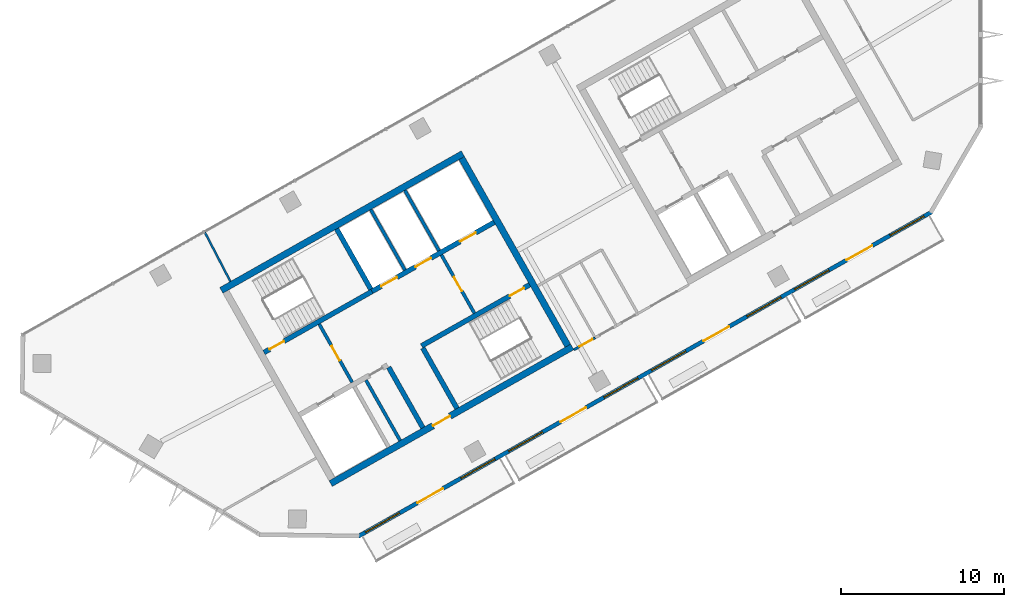
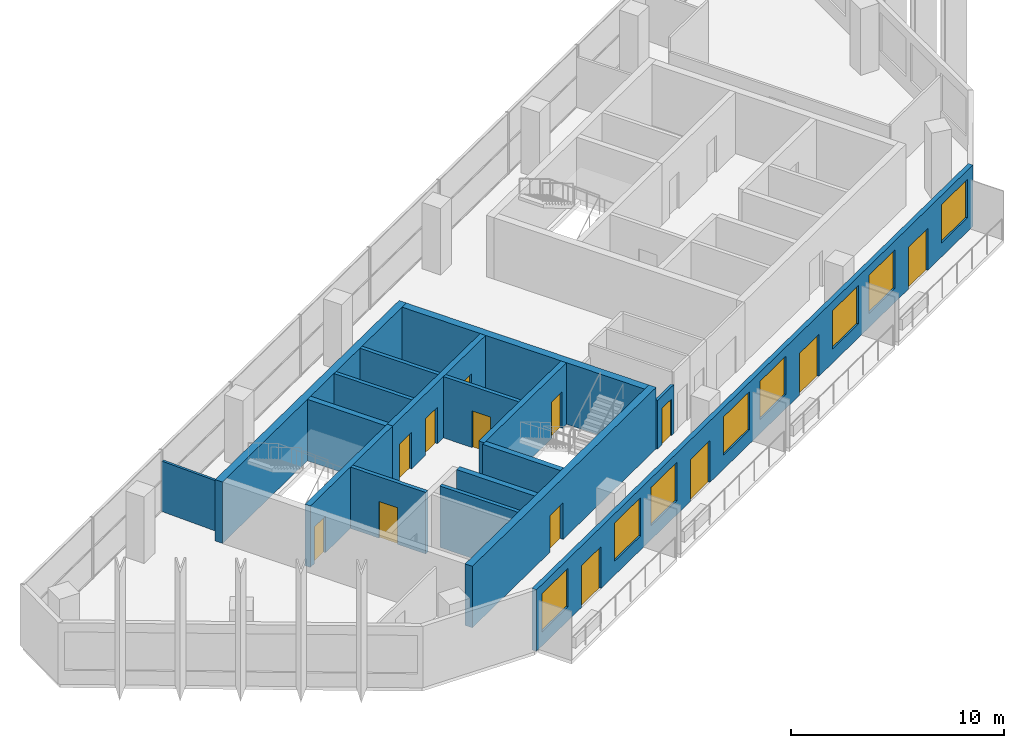
# One storey, part 6 of 10: 17 walls, 13 doors, 8 windows, 21 openings.
"""IFC4 building model written with IfcOpenShell, lengths in metres."""

from ifc_helpers import new_model, si_unit, direction, frame, frame_2d, origin, place, context, subcontext, project, spatial, rectangle, extrude, material, layer, layer_set, type_object, element, fill, save


model = new_model("IFC4")

# Units and contexts
model_context = context("Model", 3, precision=1e-05, world=origin(), true_north=direction((0.0, 1.0)))
body_context = subcontext(model_context, "Body", "Model", "MODEL_VIEW")
ifc_project = project(units=[si_unit("LENGTHUNIT", "METRE"), si_unit("AREAUNIT", "SQUARE_METRE"), si_unit("VOLUMEUNIT", "CUBIC_METRE"), si_unit("PLANEANGLEUNIT", "RADIAN"), si_unit("MASSUNIT", "GRAM", prefix="KILO")], contexts=[model_context])

# Site, building, storey
site_placement = place(None, origin())
site = spatial("IfcSite", under=ifc_project, at=site_placement, CompositionType="ELEMENT")
building_placement = place(site_placement, origin())
building = spatial("IfcBuilding", under=site, at=building_placement, Name="Binnacle Exchange Tower", CompositionType="ELEMENT")
storey_placement = place(building_placement, frame((0.0, 0.0, 316.5)))
storey = spatial("IfcBuildingStorey", under=building, at=storey_placement, Name="L71", CompositionType="ELEMENT", Elevation=316.5)

# Wall, openings, doors
ifc_material_1 = material(Name="Concrete C70/85", Category="concrete")
ifc_layer_1 = layer(ifc_material_1, 0.300048828125)
ifc_layer_set_1 = layer_set([ifc_layer_1], Name="Core wall - front 300")
wall_type_1 = type_object("IfcWallType", Name="Core wall - front 300", PredefinedType="SOLIDWALL", material=ifc_layer_set_1)
wall_1_placement = place(storey_placement, frame((-37.281982421875, 41.4345703125, 0.0), z_axis=(0.0, 0.0, 1.0), x_axis=(0.870361315115, 0.492413628113, 0.0)))
wall_1 = element("IfcWall", 1, at=wall_1_placement, inside=storey, type_object=wall_type_1, Name="Core wall CRWA5", PredefinedType="SOLIDWALL", context=body_context, shape_type="SweptSolid", body=[
    extrude(rectangle(XDim=8.599609375, YDim=0.300048828125, at=frame_2d((4.2998046875, 0.0))), origin(), (0.0, 0.0, 1.0), 3.52001953125),
])
opening_1_placement = place(wall_1_placement, frame((0.650146484375, 0.0, 0.0)))
opening_1 = element("IfcOpeningElement", 2, at=opening_1_placement, cuts=wall_1, Name="Opening LD9", PredefinedType="OPENING", context=body_context, shape_type="SweptSolid", body=[
    extrude(rectangle(XDim=1.10009765625, YDim=2.10009765625, at=frame_2d((0.550048828125, 1.050048828125))), frame((0.0, 0.159912109375, 0.0), z_axis=(0.0, -1.0, 0.0), x_axis=(1.0, 0.0, 0.0)), (0.0, 0.0, 1.0), 0.320068359375),
])
opening_2_placement = place(wall_1_placement, frame((3.050048828125, 0.0, 0.0)))
opening_2 = element("IfcOpeningElement", 3, at=opening_2_placement, cuts=wall_1, Name="Opening LD10", PredefinedType="OPENING", context=body_context, shape_type="SweptSolid", body=[
    extrude(rectangle(XDim=1.10009765625, YDim=2.10009765625, at=frame_2d((0.550048828125, 1.050048828125))), frame((0.0, 0.159912109375, 0.0), z_axis=(0.0, -1.0, 0.0), x_axis=(1.0, 0.0, 0.0)), (0.0, 0.0, 1.0), 0.320068359375),
])
opening_3_placement = place(wall_1_placement, frame((6.199951171875, 0.0, 0.0)))
opening_3 = element("IfcOpeningElement", 4, at=opening_3_placement, cuts=wall_1, Name="Opening LD13", PredefinedType="OPENING", context=body_context, shape_type="SweptSolid", body=[
    extrude(rectangle(XDim=1.10009765625, YDim=2.10009765625, at=frame_2d((0.550048828125, 1.050048828125))), frame((0.0, 0.159912109375, 0.0), z_axis=(0.0, -1.0, 0.0), x_axis=(1.0, 0.0, 0.0)), (0.0, 0.0, 1.0), 0.320068359375),
])
ifc_material_2 = material(Name="Steel door leaf", Category="steel")
door_type_1 = type_object("IfcDoorType", Name="Fire door - lift landing 1100", OperationType="NOTDEFINED", PredefinedType="DOOR", material=ifc_material_2)
door_1_placement = place(opening_1_placement, origin())
door_1 = element("IfcDoor", 5, at=door_1_placement, inside=storey, type_object=door_type_1, Name="Landing door LD9 L71", OperationType="DOUBLE_DOOR_SLIDING", OverallHeight=2.10009765625, OverallWidth=1.10009765625, PredefinedType="DOOR", context=body_context, shape_type="SweptSolid", body=[
    extrude(rectangle(XDim=1.10009765625, YDim=2.10009765625, at=frame_2d((0.550048828125, 1.050048828125))), frame((0.0, 0.02490234375, 0.0), z_axis=(0.0, -1.0, 0.0), x_axis=(1.0, 0.0, 0.0)), (0.0, 0.0, 1.0), 0.050048828125),
])
fill(opening_1, door_1)
door_2_placement = place(opening_2_placement, origin())
door_2 = element("IfcDoor", 6, at=door_2_placement, inside=storey, type_object=door_type_1, Name="Landing door LD10 L71", OperationType="DOUBLE_DOOR_SLIDING", OverallHeight=2.10009765625, OverallWidth=1.10009765625, PredefinedType="DOOR", context=body_context, shape_type="SweptSolid", body=[
    extrude(rectangle(XDim=1.10009765625, YDim=2.10009765625, at=frame_2d((0.550048828125, 1.050048828125))), frame((0.0, 0.02490234375, 0.0), z_axis=(0.0, -1.0, 0.0), x_axis=(1.0, 0.0, 0.0)), (0.0, 0.0, 1.0), 0.050048828125),
])
fill(opening_2, door_2)
door_3_placement = place(opening_3_placement, origin())
door_3 = element("IfcDoor", 7, at=door_3_placement, inside=storey, type_object=door_type_1, Name="Landing door LD13 L71", OperationType="DOUBLE_DOOR_SLIDING", OverallHeight=2.10009765625, OverallWidth=1.10009765625, PredefinedType="DOOR", context=body_context, shape_type="SweptSolid", body=[
    extrude(rectangle(XDim=1.10009765625, YDim=2.10009765625, at=frame_2d((0.550048828125, 1.050048828125))), frame((0.0, 0.02490234375, 0.0), z_axis=(0.0, -1.0, 0.0), x_axis=(1.0, 0.0, 0.0)), (0.0, 0.0, 1.0), 0.050048828125),
])
fill(opening_3, door_3)

# Wall
wall_2_placement = place(storey_placement, frame((-36.260009765625, 36.784912109375, 0.0), z_axis=(0.0, 0.0, 1.0), x_axis=(0.492422543467, -0.870356271124, 0.0)))
element("IfcWall", 8, at=wall_2_placement, inside=storey, type_object=wall_type_1, Name="Core wall CRWA13", PredefinedType="SOLIDWALL", context=body_context, shape_type="SweptSolid", body=[
    extrude(rectangle(XDim=4.25, YDim=0.300048828125, at=frame_2d((2.125, 0.0))), origin(), (0.0, 0.0, 1.0), 3.52001953125),
])

# Wall, opening, door
ifc_layer_2 = layer(ifc_material_1, 0.39990234375)
ifc_layer_set_2 = layer_set([ifc_layer_2], Name="Core wall - outer 400")
wall_type_2 = type_object("IfcWallType", Name="Core wall - outer 400", PredefinedType="SOLIDWALL", material=ifc_layer_set_2)
wall_3_placement = place(storey_placement, frame((-39.81298828125, 29.661865234375, 0.0), z_axis=(0.0, 0.0, 1.0), x_axis=(0.870350116061, 0.492433422375, 0.0)))
wall_3 = element("IfcWall", 9, at=wall_3_placement, inside=storey, type_object=wall_type_2, Name="Core wall CRWA1", PredefinedType="SOLIDWALL", context=body_context, shape_type="SweptSolid", body=[
    extrude(rectangle(XDim=17.0, YDim=0.39990234375, at=frame_2d((8.5, 0.0))), origin(), (0.0, 0.0, 1.0), 3.52001953125),
])
opening_4_placement = place(wall_3_placement, frame((7.199951171875, 0.0, 0.0)))
opening_4 = element("IfcOpeningElement", 10, at=opening_4_placement, cuts=wall_3, Name="Opening DA7", PredefinedType="OPENING", context=body_context, shape_type="SweptSolid", body=[
    extrude(rectangle(XDim=1.199951171875, YDim=2.10009765625, at=frame_2d((0.60009765625, 1.050048828125))), frame((0.0, 0.2099609375, 0.0), z_axis=(0.0, -1.0, 0.0), x_axis=(1.0, 0.0, 0.0)), (0.0, 0.0, 1.0), 0.419921875),
])
door_type_2 = type_object("IfcDoorType", Name="Fire door 1200", OperationType="NOTDEFINED", PredefinedType="DOOR", material=ifc_material_2)
door_4_placement = place(opening_4_placement, frame((1.199951171875, 0.0, 0.0), z_axis=(0.0, 0.0, 1.0), x_axis=(-1.0, 0.0, 0.0)))
door_4 = element("IfcDoor", 11, at=door_4_placement, inside=storey, type_object=door_type_2, Name="Lift lobby entrance door core A", OperationType="SINGLE_SWING_RIGHT", OverallHeight=2.10009765625, OverallWidth=1.199951171875, PredefinedType="DOOR", context=body_context, shape_type="SweptSolid", body=[
    extrude(rectangle(XDim=1.199951171875, YDim=2.10009765625, at=frame_2d((0.60009765625, 1.050048828125))), frame((0.0, 0.02490234375, 0.0), z_axis=(0.0, -1.0, 0.0), x_axis=(1.0, 0.0, 0.0)), (0.0, 0.0, 1.0), 0.050048828125),
])
fill(opening_4, door_4)

# Walls
wall_4_placement = place(storey_placement, frame((-46.510009765625, 41.498779296875, 0.0), z_axis=(0.0, 0.0, 1.0), x_axis=(0.870356271124, 0.492422543467, 0.0)))
element("IfcWall", 12, at=wall_4_placement, inside=storey, type_object=wall_type_2, Name="Core wall CRWA6", PredefinedType="SOLIDWALL", context=body_context, shape_type="SweptSolid", body=[
    extrude(rectangle(XDim=16.999755859375, YDim=0.39990234375, at=frame_2d((8.5, 0.0))), origin(), (0.0, 0.0, 1.0), 3.52001953125),
])
wall_5_placement = place(storey_placement, frame((-31.78955078125, 49.597412109375, 0.0), z_axis=(0.0, 0.0, 1.0), x_axis=(0.492421663121, -0.870356769198, 0.0)))
element("IfcWall", 13, at=wall_5_placement, inside=storey, type_object=wall_type_2, Name="Core wall CRWA22", PredefinedType="SOLIDWALL", context=body_context, shape_type="SweptSolid", body=[
    extrude(rectangle(XDim=13.199951171875, YDim=0.39990234375, at=frame_2d((6.60009765625, 0.0))), origin(), (0.0, 0.0, 1.0), 3.52001953125),
])

# Wall, opening, door
ifc_layer_3 = layer(ifc_material_1, 0.300048828125)
ifc_layer_set_3 = layer_set([ifc_layer_3], Name="Core wall - stair 300")
wall_type_3 = type_object("IfcWallType", Name="Core wall - stair 300", PredefinedType="SOLIDWALL", material=ifc_layer_set_3)
wall_6_placement = place(storey_placement, frame((-34.2451171875, 38.097412109375, 0.0), z_axis=(0.0, 0.0, 1.0), x_axis=(0.870356351998, 0.492422400523, 0.0)))
wall_6 = element("IfcWall", 14, at=wall_6_placement, inside=storey, type_object=wall_type_3, Name="Core wall CRWA3", PredefinedType="SOLIDWALL", context=body_context, shape_type="SweptSolid", body=[
    extrude(rectangle(XDim=7.60009765625, YDim=0.300048828125, at=frame_2d((3.800048828125, 0.0))), origin(), (0.0, 0.0, 1.0), 3.52001953125),
])
opening_5_placement = place(wall_6_placement, frame((6.199951171875, 0.0, 0.0)))
opening_5 = element("IfcOpeningElement", 15, at=opening_5_placement, cuts=wall_6, Name="Opening DA2", PredefinedType="OPENING", context=body_context, shape_type="SweptSolid", body=[
    extrude(rectangle(XDim=1.0, YDim=2.10009765625, at=frame_2d((0.5, 1.050048828125))), frame((0.0, 0.159912109375, 0.0), z_axis=(0.0, -1.0, 0.0), x_axis=(1.0, 0.0, 0.0)), (0.0, 0.0, 1.0), 0.320068359375),
])
door_type_3 = type_object("IfcDoorType", Name="Fire door 1000", OperationType="NOTDEFINED", PredefinedType="DOOR", material=ifc_material_2)
door_5_placement = place(opening_5_placement, frame((1.0, 0.0, 0.0), z_axis=(0.0, 0.0, 1.0), x_axis=(-1.0, 0.0, 0.0)))
door_5 = element("IfcDoor", 16, at=door_5_placement, inside=storey, type_object=door_type_3, Name="Stair door ST-A2", OperationType="SINGLE_SWING_LEFT", OverallHeight=2.10009765625, OverallWidth=1.0, PredefinedType="DOOR", context=body_context, shape_type="SweptSolid", body=[
    extrude(rectangle(XDim=1.0, YDim=2.10009765625, at=frame_2d((0.5, 1.050048828125))), frame((0.0, 0.02490234375, 0.0), z_axis=(0.0, -1.0, 0.0), x_axis=(1.0, 0.0, 0.0)), (0.0, 0.0, 1.0), 0.050048828125),
])
fill(opening_5, door_5)

wall_7_placement = place(storey_placement, frame((-43.896728515625, 37.692138671875, 0.0), z_axis=(0.0, 0.0, 1.0), x_axis=(0.870356351998, 0.492422400523, 0.0)))
wall_7 = element("IfcWall", 17, at=wall_7_placement, inside=storey, type_object=wall_type_3, Name="Core wall CRWA4", PredefinedType="SOLIDWALL", context=body_context, shape_type="SweptSolid", body=[
    extrude(rectangle(XDim=7.60009765625, YDim=0.300048828125, at=frame_2d((3.800048828125, 0.0))), origin(), (0.0, 0.0, 1.0), 3.52001953125),
])
opening_6_placement = place(wall_7_placement, frame((0.39990234375, 0.0, 0.0)))
opening_6 = element("IfcOpeningElement", 18, at=opening_6_placement, cuts=wall_7, Name="Opening DA1", PredefinedType="OPENING", context=body_context, shape_type="SweptSolid", body=[
    extrude(rectangle(XDim=1.0, YDim=2.10009765625, at=frame_2d((0.5, 1.050048828125))), frame((0.0, 0.159912109375, 0.0), z_axis=(0.0, -1.0, 0.0), x_axis=(1.0, 0.0, 0.0)), (0.0, 0.0, 1.0), 0.320068359375),
])
door_6_placement = place(opening_6_placement, origin())
door_6 = element("IfcDoor", 19, at=door_6_placement, inside=storey, type_object=door_type_3, Name="Stair door ST-A1", OperationType="SINGLE_SWING_LEFT", OverallHeight=2.10009765625, OverallWidth=1.0, PredefinedType="DOOR", context=body_context, shape_type="SweptSolid", body=[
    extrude(rectangle(XDim=1.0, YDim=2.10009765625, at=frame_2d((0.5, 1.050048828125))), frame((0.0, 0.02490234375, 0.0), z_axis=(0.0, -1.0, 0.0), x_axis=(1.0, 0.0, 0.0)), (0.0, 0.0, 1.0), 0.050048828125),
])
fill(opening_6, door_6)

# Walls
for number, where, z_axis, x_axis, name in (
    (20, (-39.44873046875, 45.263916015625, 0.0), (0.0, 0.0, 1.0), (0.492422543467, -0.870356271124, 0.0), "Core wall CRWA14"),
    (21, (-34.171142578125, 37.966796875, 0.0), (0.0, 0.0, 1.0), (0.492422543467, -0.870356271124, 0.0), "Core wall CRWA16"),
):
    element("IfcWall", number, at=place(storey_placement, frame(where, z_axis=z_axis, x_axis=x_axis)), inside=storey, type_object=wall_type_3, Name=name, PredefinedType="SOLIDWALL", context=body_context, shape_type="SweptSolid", body=[
        extrude(rectangle(XDim=4.25, YDim=0.300048828125, at=frame_2d((2.125, 0.0))), origin(), (0.0, 0.0, 1.0), 3.52001953125),
    ])

# Wall, openings, doors, windows
ifc_material_3 = material(Name="Bronze aluminium cladding", Category="aluminium")
ifc_layer_4 = layer(ifc_material_3, 0.25)
ifc_layer_set_4 = layer_set([ifc_layer_4], Name="External wall - window wall 250")
wall_type_4 = type_object("IfcWallType", Name="External wall - window wall 250", PredefinedType="STANDARD", material=ifc_layer_set_4)
wall_8_placement = place(storey_placement, frame((-3.016845703125, 46.293212890625, 0.0), z_axis=(0.0, 0.0, 1.0), x_axis=(-0.870355474887, -0.492423950812, 0.0)))
wall_8 = element("IfcWall", 22, at=wall_8_placement, inside=storey, type_object=wall_type_4, Name="External wall EW-H07 L71", PredefinedType="STANDARD", context=body_context, shape_type="SweptSolid", body=[
    extrude(rectangle(XDim=40.34033203125, YDim=0.25, at=frame_2d((20.170166015625, 0.0))), origin(), (0.0, 0.0, 1.0), 3.52001953125),
])
opening_7_placement = place(wall_8_placement, frame((37.428466796875, 0.0, 0.800048828125)))
opening_7 = element("IfcOpeningElement", 23, at=opening_7_placement, cuts=wall_8, Name="Opening WR2", PredefinedType="OPENING", context=body_context, shape_type="SweptSolid", body=[
    extrude(rectangle(XDim=2.39990234375, YDim=2.199951171875, at=frame_2d((1.199951171875, 1.10009765625))), frame((0.0, 0.135009765625, 0.0), z_axis=(0.0, -1.0, 0.0), x_axis=(1.0, 0.0, 0.0)), (0.0, 0.0, 1.0), 0.27001953125),
])
opening_8_placement = place(wall_8_placement, frame((34.372314453125, 0.0, 0.0)))
opening_8 = element("IfcOpeningElement", 24, at=opening_8_placement, cuts=wall_8, Name="Opening D-FS22-01", PredefinedType="OPENING", context=body_context, shape_type="SweptSolid", body=[
    extrude(rectangle(XDim=1.800048828125, YDim=2.39990234375, at=frame_2d((0.89990234375, 1.199951171875))), frame((0.0, 0.135009765625, 0.0), z_axis=(0.0, -1.0, 0.0), x_axis=(1.0, 0.0, 0.0)), (0.0, 0.0, 1.0), 0.27001953125),
])
opening_9_placement = place(wall_8_placement, frame((30.71630859375, 0.0, 0.800048828125)))
opening_9 = element("IfcOpeningElement", 25, at=opening_9_placement, cuts=wall_8, Name="Opening WR2", PredefinedType="OPENING", context=body_context, shape_type="SweptSolid", body=[
    extrude(rectangle(XDim=2.39990234375, YDim=2.199951171875, at=frame_2d((1.199951171875, 1.10009765625))), frame((0.0, 0.135009765625, 0.0), z_axis=(0.0, -1.0, 0.0), x_axis=(1.0, 0.0, 0.0)), (0.0, 0.0, 1.0), 0.27001953125),
])
opening_10_placement = place(wall_8_placement, frame((27.3603515625, 0.0, 0.800048828125)))
opening_10 = element("IfcOpeningElement", 26, at=opening_10_placement, cuts=wall_8, Name="Opening WR2", PredefinedType="OPENING", context=body_context, shape_type="SweptSolid", body=[
    extrude(rectangle(XDim=2.39990234375, YDim=2.199951171875, at=frame_2d((1.199951171875, 1.10009765625))), frame((0.0, 0.135009765625, 0.0), z_axis=(0.0, -1.0, 0.0), x_axis=(1.0, 0.0, 0.0)), (0.0, 0.0, 1.0), 0.27001953125),
])
opening_11_placement = place(wall_8_placement, frame((24.30419921875, 0.0, 0.0)))
opening_11 = element("IfcOpeningElement", 27, at=opening_11_placement, cuts=wall_8, Name="Opening D-FS22-02", PredefinedType="OPENING", context=body_context, shape_type="SweptSolid", body=[
    extrude(rectangle(XDim=1.800048828125, YDim=2.39990234375, at=frame_2d((0.89990234375, 1.199951171875))), frame((0.0, 0.135009765625, 0.0), z_axis=(0.0, -1.0, 0.0), x_axis=(1.0, 0.0, 0.0)), (0.0, 0.0, 1.0), 0.27001953125),
])
opening_12_placement = place(wall_8_placement, frame((20.648193359375, 0.0, 0.800048828125)))
opening_12 = element("IfcOpeningElement", 28, at=opening_12_placement, cuts=wall_8, Name="Opening WR2", PredefinedType="OPENING", context=body_context, shape_type="SweptSolid", body=[
    extrude(rectangle(XDim=2.39990234375, YDim=2.199951171875, at=frame_2d((1.199951171875, 1.10009765625))), frame((0.0, 0.135009765625, 0.0), z_axis=(0.0, -1.0, 0.0), x_axis=(1.0, 0.0, 0.0)), (0.0, 0.0, 1.0), 0.27001953125),
])
opening_13_placement = place(wall_8_placement, frame((17.2919921875, 0.0, 0.800048828125)))
opening_13 = element("IfcOpeningElement", 29, at=opening_13_placement, cuts=wall_8, Name="Opening WR2", PredefinedType="OPENING", context=body_context, shape_type="SweptSolid", body=[
    extrude(rectangle(XDim=2.39990234375, YDim=2.199951171875, at=frame_2d((1.199951171875, 1.10009765625))), frame((0.0, 0.135009765625, 0.0), z_axis=(0.0, -1.0, 0.0), x_axis=(1.0, 0.0, 0.0)), (0.0, 0.0, 1.0), 0.27001953125),
])
opening_14_placement = place(wall_8_placement, frame((14.236083984375, 0.0, 0.0)))
opening_14 = element("IfcOpeningElement", 30, at=opening_14_placement, cuts=wall_8, Name="Opening D-FS22-03", PredefinedType="OPENING", context=body_context, shape_type="SweptSolid", body=[
    extrude(rectangle(XDim=1.800048828125, YDim=2.39990234375, at=frame_2d((0.89990234375, 1.199951171875))), frame((0.0, 0.135009765625, 0.0), z_axis=(0.0, -1.0, 0.0), x_axis=(1.0, 0.0, 0.0)), (0.0, 0.0, 1.0), 0.27001953125),
])
opening_15_placement = place(wall_8_placement, frame((10.580078125, 0.0, 0.800048828125)))
opening_15 = element("IfcOpeningElement", 31, at=opening_15_placement, cuts=wall_8, Name="Opening WR2", PredefinedType="OPENING", context=body_context, shape_type="SweptSolid", body=[
    extrude(rectangle(XDim=2.39990234375, YDim=2.199951171875, at=frame_2d((1.199951171875, 1.10009765625))), frame((0.0, 0.135009765625, 0.0), z_axis=(0.0, -1.0, 0.0), x_axis=(1.0, 0.0, 0.0)), (0.0, 0.0, 1.0), 0.27001953125),
])
opening_16_placement = place(wall_8_placement, frame((7.223876953125, 0.0, 0.800048828125)))
opening_16 = element("IfcOpeningElement", 32, at=opening_16_placement, cuts=wall_8, Name="Opening WR2", PredefinedType="OPENING", context=body_context, shape_type="SweptSolid", body=[
    extrude(rectangle(XDim=2.39990234375, YDim=2.199951171875, at=frame_2d((1.199951171875, 1.10009765625))), frame((0.0, 0.135009765625, 0.0), z_axis=(0.0, -1.0, 0.0), x_axis=(1.0, 0.0, 0.0)), (0.0, 0.0, 1.0), 0.27001953125),
])
opening_17_placement = place(wall_8_placement, frame((4.16796875, 0.0, 0.0)))
opening_17 = element("IfcOpeningElement", 33, at=opening_17_placement, cuts=wall_8, Name="Opening D-FS22-04", PredefinedType="OPENING", context=body_context, shape_type="SweptSolid", body=[
    extrude(rectangle(XDim=1.800048828125, YDim=2.39990234375, at=frame_2d((0.89990234375, 1.199951171875))), frame((0.0, 0.135009765625, 0.0), z_axis=(0.0, -1.0, 0.0), x_axis=(1.0, 0.0, 0.0)), (0.0, 0.0, 1.0), 0.27001953125),
])
opening_18_placement = place(wall_8_placement, frame((0.51171875, 0.0, 0.800048828125)))
opening_18 = element("IfcOpeningElement", 34, at=opening_18_placement, cuts=wall_8, Name="Opening WR2", PredefinedType="OPENING", context=body_context, shape_type="SweptSolid", body=[
    extrude(rectangle(XDim=2.39990234375, YDim=2.199951171875, at=frame_2d((1.199951171875, 1.10009765625))), frame((0.0, 0.135009765625, 0.0), z_axis=(0.0, -1.0, 0.0), x_axis=(1.0, 0.0, 0.0)), (0.0, 0.0, 1.0), 0.27001953125),
])
ifc_material_4 = material(Name="Bronze anodised aluminium frame", Category="aluminium")
door_type_4 = type_object("IfcDoorType", Name="DB DOOR 1800x2400", OperationType="DOUBLE_DOOR_SINGLE_SWING", PredefinedType="DOOR", material=ifc_material_4)
door_7_placement = place(opening_8_placement, origin())
door_7 = element("IfcDoor", 35, at=door_7_placement, inside=storey, type_object=door_type_4, Name="Door D-FS22-01 L71", OperationType="DOUBLE_DOOR_SINGLE_SWING", OverallHeight=2.39990234375, OverallWidth=1.800048828125, PredefinedType="DOOR", context=body_context, shape_type="SweptSolid", body=[
    extrude(rectangle(XDim=1.800048828125, YDim=2.39990234375, at=frame_2d((0.89990234375, 1.199951171875))), frame((0.0, 0.02490234375, 0.0), z_axis=(0.0, -1.0, 0.0), x_axis=(1.0, 0.0, 0.0)), (0.0, 0.0, 1.0), 0.050048828125),
])
fill(opening_8, door_7)
door_8_placement = place(opening_11_placement, origin())
door_8 = element("IfcDoor", 36, at=door_8_placement, inside=storey, type_object=door_type_4, Name="Door D-FS22-02 L71", OperationType="DOUBLE_DOOR_SINGLE_SWING", OverallHeight=2.39990234375, OverallWidth=1.800048828125, PredefinedType="DOOR", context=body_context, shape_type="SweptSolid", body=[
    extrude(rectangle(XDim=1.800048828125, YDim=2.39990234375, at=frame_2d((0.89990234375, 1.199951171875))), frame((0.0, 0.02490234375, 0.0), z_axis=(0.0, -1.0, 0.0), x_axis=(1.0, 0.0, 0.0)), (0.0, 0.0, 1.0), 0.050048828125),
])
fill(opening_11, door_8)
door_9_placement = place(opening_14_placement, origin())
door_9 = element("IfcDoor", 37, at=door_9_placement, inside=storey, type_object=door_type_4, Name="Door D-FS22-03 L71", OperationType="DOUBLE_DOOR_SINGLE_SWING", OverallHeight=2.39990234375, OverallWidth=1.800048828125, PredefinedType="DOOR", context=body_context, shape_type="SweptSolid", body=[
    extrude(rectangle(XDim=1.800048828125, YDim=2.39990234375, at=frame_2d((0.89990234375, 1.199951171875))), frame((0.0, 0.02490234375, 0.0), z_axis=(0.0, -1.0, 0.0), x_axis=(1.0, 0.0, 0.0)), (0.0, 0.0, 1.0), 0.050048828125),
])
fill(opening_14, door_9)
door_10_placement = place(opening_17_placement, origin())
door_10 = element("IfcDoor", 38, at=door_10_placement, inside=storey, type_object=door_type_4, Name="Door D-FS22-04 L71", OperationType="DOUBLE_DOOR_SINGLE_SWING", OverallHeight=2.39990234375, OverallWidth=1.800048828125, PredefinedType="DOOR", context=body_context, shape_type="SweptSolid", body=[
    extrude(rectangle(XDim=1.800048828125, YDim=2.39990234375, at=frame_2d((0.89990234375, 1.199951171875))), frame((0.0, 0.02490234375, 0.0), z_axis=(0.0, -1.0, 0.0), x_axis=(1.0, 0.0, 0.0)), (0.0, 0.0, 1.0), 0.050048828125),
])
fill(opening_17, door_10)
window_type = type_object("IfcWindowType", Name="WR2 WINDOW 2400x2200", PartitioningType="SINGLE_PANEL", PredefinedType="WINDOW", material=ifc_material_4)
window_1_placement = place(opening_7_placement, origin())
window_1 = element("IfcWindow", 39, at=window_1_placement, inside=storey, type_object=window_type, Name="Window WR2 L71", OverallHeight=2.199951171875, OverallWidth=2.39990234375, PartitioningType="SINGLE_PANEL", PredefinedType="WINDOW", context=body_context, shape_type="SweptSolid", body=[
    extrude(rectangle(XDim=2.39990234375, YDim=2.199951171875, at=frame_2d((1.199951171875, 1.10009765625))), frame((0.0, 0.030029296875, 0.0), z_axis=(0.0, -1.0, 0.0), x_axis=(1.0, 0.0, 0.0)), (0.0, 0.0, 1.0), 0.06005859375),
])
fill(opening_7, window_1)
window_2_placement = place(opening_9_placement, origin())
window_2 = element("IfcWindow", 40, at=window_2_placement, inside=storey, type_object=window_type, Name="Window WR2 L71", OverallHeight=2.199951171875, OverallWidth=2.39990234375, PartitioningType="SINGLE_PANEL", PredefinedType="WINDOW", context=body_context, shape_type="SweptSolid", body=[
    extrude(rectangle(XDim=2.39990234375, YDim=2.199951171875, at=frame_2d((1.199951171875, 1.10009765625))), frame((0.0, 0.030029296875, 0.0), z_axis=(0.0, -1.0, 0.0), x_axis=(1.0, 0.0, 0.0)), (0.0, 0.0, 1.0), 0.06005859375),
])
fill(opening_9, window_2)
window_3_placement = place(opening_10_placement, origin())
window_3 = element("IfcWindow", 41, at=window_3_placement, inside=storey, type_object=window_type, Name="Window WR2 L71", OverallHeight=2.199951171875, OverallWidth=2.39990234375, PartitioningType="SINGLE_PANEL", PredefinedType="WINDOW", context=body_context, shape_type="SweptSolid", body=[
    extrude(rectangle(XDim=2.39990234375, YDim=2.199951171875, at=frame_2d((1.199951171875, 1.10009765625))), frame((0.0, 0.030029296875, 0.0), z_axis=(0.0, -1.0, 0.0), x_axis=(1.0, 0.0, 0.0)), (0.0, 0.0, 1.0), 0.06005859375),
])
fill(opening_10, window_3)
window_4_placement = place(opening_12_placement, origin())
window_4 = element("IfcWindow", 42, at=window_4_placement, inside=storey, type_object=window_type, Name="Window WR2 L71", OverallHeight=2.199951171875, OverallWidth=2.39990234375, PartitioningType="SINGLE_PANEL", PredefinedType="WINDOW", context=body_context, shape_type="SweptSolid", body=[
    extrude(rectangle(XDim=2.39990234375, YDim=2.199951171875, at=frame_2d((1.199951171875, 1.10009765625))), frame((0.0, 0.030029296875, 0.0), z_axis=(0.0, -1.0, 0.0), x_axis=(1.0, 0.0, 0.0)), (0.0, 0.0, 1.0), 0.06005859375),
])
fill(opening_12, window_4)
window_5_placement = place(opening_13_placement, origin())
window_5 = element("IfcWindow", 43, at=window_5_placement, inside=storey, type_object=window_type, Name="Window WR2 L71", OverallHeight=2.199951171875, OverallWidth=2.39990234375, PartitioningType="SINGLE_PANEL", PredefinedType="WINDOW", context=body_context, shape_type="SweptSolid", body=[
    extrude(rectangle(XDim=2.39990234375, YDim=2.199951171875, at=frame_2d((1.199951171875, 1.10009765625))), frame((0.0, 0.030029296875, 0.0), z_axis=(0.0, -1.0, 0.0), x_axis=(1.0, 0.0, 0.0)), (0.0, 0.0, 1.0), 0.06005859375),
])
fill(opening_13, window_5)
window_6_placement = place(opening_15_placement, origin())
window_6 = element("IfcWindow", 44, at=window_6_placement, inside=storey, type_object=window_type, Name="Window WR2 L71", OverallHeight=2.199951171875, OverallWidth=2.39990234375, PartitioningType="SINGLE_PANEL", PredefinedType="WINDOW", context=body_context, shape_type="SweptSolid", body=[
    extrude(rectangle(XDim=2.39990234375, YDim=2.199951171875, at=frame_2d((1.199951171875, 1.10009765625))), frame((0.0, 0.030029296875, 0.0), z_axis=(0.0, -1.0, 0.0), x_axis=(1.0, 0.0, 0.0)), (0.0, 0.0, 1.0), 0.06005859375),
])
fill(opening_15, window_6)
window_7_placement = place(opening_16_placement, origin())
window_7 = element("IfcWindow", 45, at=window_7_placement, inside=storey, type_object=window_type, Name="Window WR2 L71", OverallHeight=2.199951171875, OverallWidth=2.39990234375, PartitioningType="SINGLE_PANEL", PredefinedType="WINDOW", context=body_context, shape_type="SweptSolid", body=[
    extrude(rectangle(XDim=2.39990234375, YDim=2.199951171875, at=frame_2d((1.199951171875, 1.10009765625))), frame((0.0, 0.030029296875, 0.0), z_axis=(0.0, -1.0, 0.0), x_axis=(1.0, 0.0, 0.0)), (0.0, 0.0, 1.0), 0.06005859375),
])
fill(opening_16, window_7)
window_8_placement = place(opening_18_placement, origin())
window_8 = element("IfcWindow", 46, at=window_8_placement, inside=storey, type_object=window_type, Name="Window WR2 L71", OverallHeight=2.199951171875, OverallWidth=2.39990234375, PartitioningType="SINGLE_PANEL", PredefinedType="WINDOW", context=body_context, shape_type="SweptSolid", body=[
    extrude(rectangle(XDim=2.39990234375, YDim=2.199951171875, at=frame_2d((1.199951171875, 1.10009765625))), frame((0.0, 0.030029296875, 0.0), z_axis=(0.0, -1.0, 0.0), x_axis=(1.0, 0.0, 0.0)), (0.0, 0.0, 1.0), 0.06005859375),
])
fill(opening_18, window_8)

# Wall, opening, door
ifc_material_5 = material(Name="Masonry block wall", Category="masonry")
ifc_layer_5 = layer(ifc_material_5, 0.199951171875)
ifc_layer_set_5 = layer_set([ifc_layer_5], Name="Fire wall - vestibule 200")
wall_type_5 = type_object("IfcWallType", Name="Fire wall - vestibule 200", PredefinedType="PARTITIONING", material=ifc_layer_set_5)
wall_9_placement = place(storey_placement, frame((-40.515625, 39.4326171875, 0.0), z_axis=(0.0, 0.0, 1.0), x_axis=(0.492453559952, -0.87033872216, 0.0)))
wall_9 = element("IfcWall", 47, at=wall_9_placement, inside=storey, type_object=wall_type_5, Name="Core wall CRWA10", PredefinedType="PARTITIONING", context=body_context, shape_type="SweptSolid", body=[
    extrude(rectangle(XDim=4.099853515625, YDim=0.199951171875, at=frame_2d((2.0498046875, 0.0))), origin(), (0.0, 0.0, 1.0), 3.52001953125),
])
opening_19_placement = place(wall_9_placement, frame((1.550048828125, 0.0, 0.0)))
opening_19 = element("IfcOpeningElement", 48, at=opening_19_placement, cuts=wall_9, Name="Opening DA3", PredefinedType="OPENING", context=body_context, shape_type="SweptSolid", body=[
    extrude(rectangle(XDim=1.0, YDim=2.10009765625, at=frame_2d((0.5, 1.050048828125))), frame((0.0, 0.10986328125, 0.0), z_axis=(0.0, -1.0, 0.0), x_axis=(1.0, 0.0, 0.0)), (0.0, 0.0, 1.0), 0.219970703125),
])
door_11_placement = place(opening_19_placement, frame((1.0, 0.0, 0.0), z_axis=(0.0, 0.0, 1.0), x_axis=(-1.0, 0.0, 0.0)))
door_11 = element("IfcDoor", 49, at=door_11_placement, inside=storey, type_object=door_type_3, Name="Vestibule door VEST-W", OperationType="SINGLE_SWING_LEFT", OverallHeight=2.10009765625, OverallWidth=1.0, PredefinedType="DOOR", context=body_context, shape_type="SweptSolid", body=[
    extrude(rectangle(XDim=1.0, YDim=2.10009765625, at=frame_2d((0.5, 1.050048828125))), frame((0.0, 0.02490234375, 0.0), z_axis=(0.0, -1.0, 0.0), x_axis=(1.0, 0.0, 0.0)), (0.0, 0.0, 1.0), 0.050048828125),
])
fill(opening_19, door_11)

wall_10_placement = place(storey_placement, frame((-33.030517578125, 43.66748046875, 0.0), z_axis=(0.0, 0.0, 1.0), x_axis=(0.492408451753, -0.87036424366, 0.0)))
wall_10 = element("IfcWall", 50, at=wall_10_placement, inside=storey, type_object=wall_type_5, Name="Core wall CRWA19", PredefinedType="PARTITIONING", context=body_context, shape_type="SweptSolid", body=[
    extrude(rectangle(XDim=4.099853515625, YDim=0.199951171875, at=frame_2d((2.0498046875, 0.0))), origin(), (0.0, 0.0, 1.0), 3.52001953125),
])
opening_20_placement = place(wall_10_placement, frame((1.550048828125, 0.0, 0.0)))
opening_20 = element("IfcOpeningElement", 51, at=opening_20_placement, cuts=wall_10, Name="Opening DA4", PredefinedType="OPENING", context=body_context, shape_type="SweptSolid", body=[
    extrude(rectangle(XDim=1.0, YDim=2.10009765625, at=frame_2d((0.5, 1.050048828125))), frame((0.0, 0.10986328125, 0.0), z_axis=(0.0, -1.0, 0.0), x_axis=(1.0, 0.0, 0.0)), (0.0, 0.0, 1.0), 0.219970703125),
])
door_12_placement = place(opening_20_placement, origin())
door_12 = element("IfcDoor", 52, at=door_12_placement, inside=storey, type_object=door_type_3, Name="Vestibule door VEST-E", OperationType="SINGLE_SWING_RIGHT", OverallHeight=2.10009765625, OverallWidth=1.0, PredefinedType="DOOR", context=body_context, shape_type="SweptSolid", body=[
    extrude(rectangle(XDim=1.0, YDim=2.10009765625, at=frame_2d((0.5, 1.050048828125))), frame((0.0, 0.02490234375, 0.0), z_axis=(0.0, -1.0, 0.0), x_axis=(1.0, 0.0, 0.0)), (0.0, 0.0, 1.0), 0.050048828125),
])
fill(opening_20, door_12)

ifc_material_6 = material(Name="Gypsum partition fire rated")
ifc_layer_6 = layer(ifc_material_6, 0.14990234375)
ifc_layer_set_6 = layer_set([ifc_layer_6], Name="Fire-rated partition 150")
wall_type_6 = type_object("IfcWallType", Name="Fire-rated partition 150", PredefinedType="PARTITIONING", material=ifc_layer_set_6)
wall_11_placement = place(storey_placement, frame((-24.9189453125, 37.85888671875, 0.0), z_axis=(0.0, 0.0, 1.0), x_axis=(0.870308175411, 0.492507542899, 0.0)))
wall_11 = element("IfcWall", 53, at=wall_11_placement, inside=storey, type_object=wall_type_6, Name="Partition W06", PredefinedType="PARTITIONING", context=body_context, shape_type="SweptSolid", body=[
    extrude(rectangle(XDim=1.50048828125, YDim=0.14990234375, at=frame_2d((0.750244140625, 0.0))), origin(), (0.0, 0.0, 1.0), 2.7919921875),
])
opening_21_placement = place(wall_11_placement, frame((0.39990234375, 0.0, 0.0)))
opening_21 = element("IfcOpeningElement", 54, at=opening_21_placement, cuts=wall_11, Name="Opening DL71-02", PredefinedType="OPENING", context=body_context, shape_type="SweptSolid", body=[
    extrude(rectangle(XDim=0.89990234375, YDim=2.10009765625, at=frame_2d((0.449951171875, 1.050048828125))), frame((0.0, 0.0849609375, 0.0), z_axis=(0.0, -1.0, 0.0), x_axis=(1.0, 0.0, 0.0)), (0.0, 0.0, 1.0), 0.169921875),
])
door_type_5 = type_object("IfcDoorType", Name="Fire door 900", OperationType="NOTDEFINED", PredefinedType="DOOR", material=ifc_material_2)
door_13_placement = place(opening_21_placement, origin())
door_13 = element("IfcDoor", 55, at=door_13_placement, inside=storey, type_object=door_type_5, Name="Door DL71-02", OperationType="SINGLE_SWING_RIGHT", OverallHeight=2.10009765625, OverallWidth=0.89990234375, PredefinedType="DOOR", context=body_context, shape_type="SweptSolid", body=[
    extrude(rectangle(XDim=0.89990234375, YDim=2.10009765625, at=frame_2d((0.449951171875, 1.050048828125))), frame((0.0, 0.02490234375, 0.0), z_axis=(0.0, -1.0, 0.0), x_axis=(1.0, 0.0, 0.0)), (0.0, 0.0, 1.0), 0.050048828125),
])
fill(opening_21, door_13)

# Walls
ifc_material_7 = material(Name="Gypsum partition")
ifc_layer_7 = layer(ifc_material_7, 0.125)
ifc_layer_set_7 = layer_set([ifc_layer_7], Name="Partition 125")
wall_type_7 = type_object("IfcWallType", Name="Partition 125", PredefinedType="PARTITIONING", material=ifc_layer_set_7)
wall_12_placement = place(storey_placement, frame((-47.51708984375, 45.047119140625, 0.0), z_axis=(0.0, 0.0, 1.0), x_axis=(0.460973607079, -0.887413845721, 0.0)))
element("IfcWall", 56, at=wall_12_placement, inside=storey, type_object=wall_type_7, Name="Partition W01", PredefinedType="PARTITIONING", context=body_context, shape_type="SweptSolid", body=[
    extrude(rectangle(XDim=3.386474609375, YDim=0.125, at=frame_2d((1.693359375, 0.0))), origin(), (0.0, 0.0, 1.0), 2.887939453125),
])
ifc_layer_8 = layer(ifc_material_5, 0.199951171875)
ifc_layer_set_8 = layer_set([ifc_layer_8], Name="Riser wall 200")
wall_type_8 = type_object("IfcWallType", Name="Riser wall 200", PredefinedType="SOLIDWALL", material=ifc_layer_set_8)
wall_13_placement = place(storey_placement, frame((-37.652587890625, 35.9970703125, 0.0), z_axis=(0.0, 0.0, 1.0), x_axis=(0.492422543467, -0.870356271124, 0.0)))
element("IfcWall", 57, at=wall_13_placement, inside=storey, type_object=wall_type_8, Name="Core wall CRWA11", PredefinedType="SOLIDWALL", context=body_context, shape_type="SweptSolid", body=[
    extrude(rectangle(XDim=4.25, YDim=0.199951171875, at=frame_2d((2.125, 0.0))), origin(), (0.0, 0.0, 1.0), 3.52001953125),
])
ifc_layer_9 = layer(ifc_material_5, 0.199951171875)
ifc_layer_set_9 = layer_set([ifc_layer_9], Name="Shaft wall 200")
wall_type_9 = type_object("IfcWallType", Name="Shaft wall 200", PredefinedType="SOLIDWALL", material=ifc_layer_set_9)
for number, where, z_axis, x_axis, name in (
    (58, (-37.35986328125, 46.44580078125, 0.0), (0.0, 0.0, 1.0), (0.492422543467, -0.870356271124, 0.0), "Core wall CRWA17"),
    (59, (-35.27099609375, 47.627685546875, 0.0), (0.0, 0.0, 1.0), (0.492422543467, -0.870356271124, 0.0), "Core wall CRWA21"),
):
    element("IfcWall", number, at=place(storey_placement, frame(where, z_axis=z_axis, x_axis=x_axis)), inside=storey, type_object=wall_type_9, Name=name, PredefinedType="SOLIDWALL", context=body_context, shape_type="SweptSolid", body=[
        extrude(rectangle(XDim=4.25, YDim=0.199951171875, at=frame_2d((2.125, 0.0))), origin(), (0.0, 0.0, 1.0), 3.52001953125),
    ])

save(model, "model.ifc")
